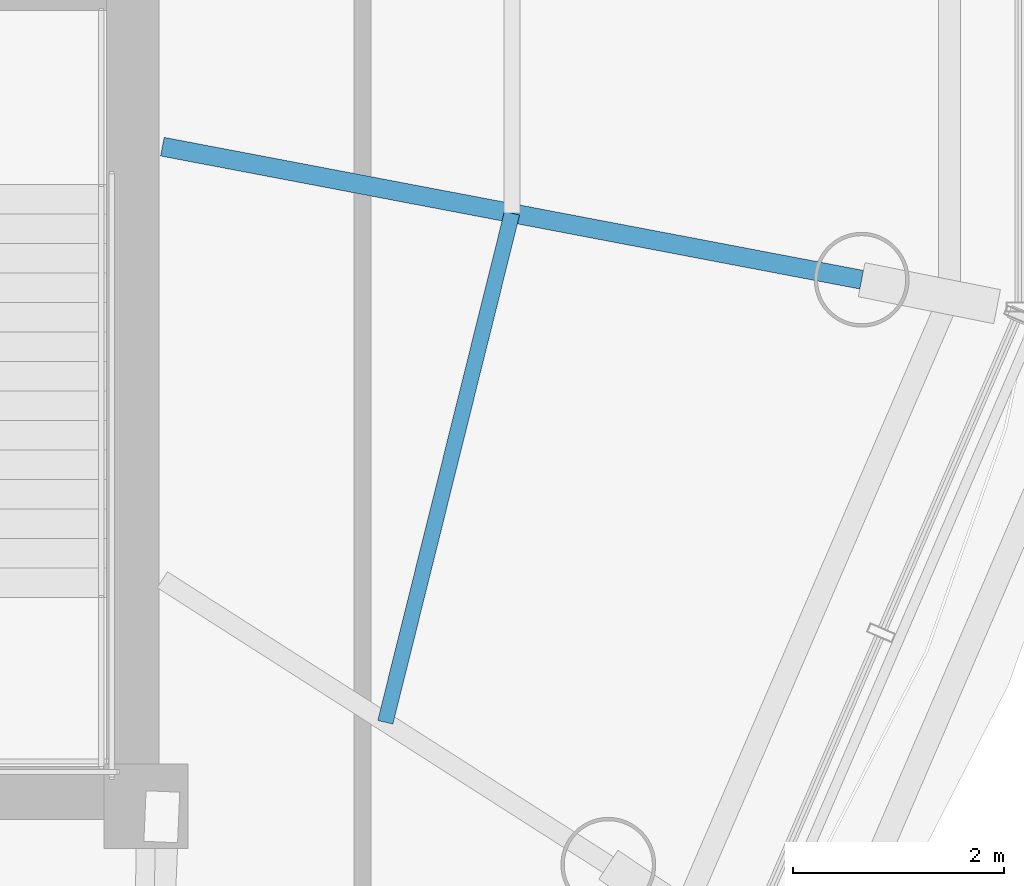
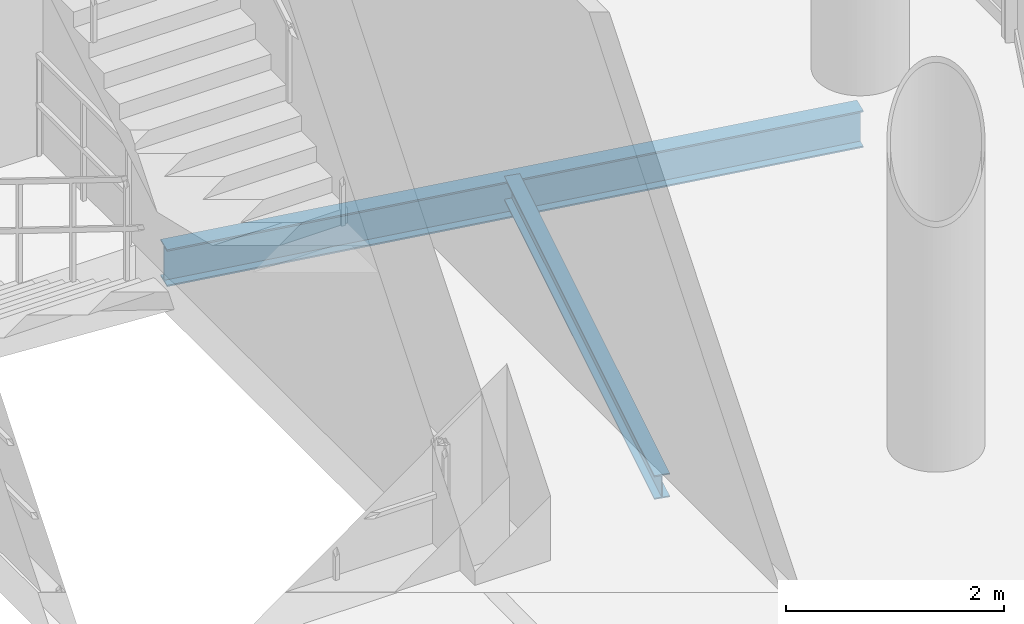
# One storey, part 4 of 15: 2 beams.
"""IFC4 building model written with IfcOpenShell, lengths in metres."""

from ifc_helpers import new_model, si_unit, direction, frame, origin, origin_2d, place, context, subcontext, project, spatial, i_section, extrude, material, material_profile, profile_set, type_object, element, save


model = new_model("IFC4")

# Units and contexts
model_context = context("Model", 3, precision=1e-05, world=origin(), true_north=direction((-0.2419218956, 0.970295726276)))
body_context = subcontext(model_context, "Body", "Model", "MODEL_VIEW")
ifc_project = project(units=[si_unit("LENGTHUNIT", "METRE"), si_unit("AREAUNIT", "SQUARE_METRE"), si_unit("VOLUMEUNIT", "CUBIC_METRE"), si_unit("PLANEANGLEUNIT", "RADIAN"), si_unit("MASSUNIT", "GRAM", prefix="KILO")], contexts=[model_context])

# Site, building, storey
site_placement = place(None, origin())
site = spatial("IfcSite", under=ifc_project, at=site_placement, CompositionType="ELEMENT")
building_placement = place(site_placement, origin())
building = spatial("IfcBuilding", under=site, at=building_placement, Name="Cobrevalo Terracotta Tower", CompositionType="ELEMENT")
storey_placement = place(building_placement, frame((0.0, 0.0, 306.10009765625)))
storey = spatial("IfcBuildingStorey", under=building, at=storey_placement, Name="L80", CompositionType="ELEMENT", Elevation=306.10009765625)

# Beams
ifc_material = material(Name="Steel S355", Category="steel")
ifc_material_profile_1 = material_profile(ifc_material, i_section(OverallWidth=0.179931640625, OverallDepth=0.4130859375, WebThickness=0.009765625, FlangeThickness=0.01611328125, at=origin_2d()), Name="W 410x75")
ifc_profile_set_1 = profile_set([ifc_material_profile_1], Name="Steel S355")
beam_type_1 = type_object("IfcBeamType", Name="Structural Beam W 410x75 (Steel S355)", PredefinedType="BEAM", material=ifc_profile_set_1)
beam_1_placement = place(storey_placement, frame((53.79052734375, 23.795654296875, -0.626708984375), z_axis=(-0.982378090159, 0.186904488915, 0.0), x_axis=(-0.186904488915, -0.982378090159, 0.0)))
element("IfcBeam", 1, at=beam_1_placement, inside=storey, type_object=beam_type_1, Name="L80 radial floor girder 16", PredefinedType="BEAM", context=body_context, shape_type="SweptSolid", body=[
    extrude(i_section(OverallWidth=0.179931640625, OverallDepth=0.4130859375, WebThickness=0.009765625, FlangeThickness=0.01611328125, at=origin_2d()), origin(), (0.0, 0.0, 1.0), 6.754638671875),
])
ifc_material_profile_2 = material_profile(ifc_material, i_section(OverallWidth=0.14794921875, OverallDepth=0.26611328125, WebThickness=0.007568359375, FlangeThickness=0.012939453125, at=origin_2d()), Name="W 250x44.8")
ifc_profile_set_2 = profile_set([ifc_material_profile_2], Name="Steel S355")
beam_type_2 = type_object("IfcBeamType", Name="Structural Joist W 250x44.8 (Steel S355)", PredefinedType="JOIST", material=ifc_profile_set_2)
beam_2_placement = place(storey_placement, frame((49.270751953125, 19.596435546875, -0.552978515625), z_axis=(0.241508383165, 0.970398732924, 0.0), x_axis=(-0.970398732924, 0.241508383165, 0.0)))
element("IfcBeam", 2, at=beam_2_placement, inside=storey, type_object=beam_type_2, Name="L80 circumferential secondary floor joist 15", PredefinedType="JOIST", context=body_context, shape_type="SweptSolid", body=[
    extrude(i_section(OverallWidth=0.14794921875, OverallDepth=0.26611328125, WebThickness=0.007568359375, FlangeThickness=0.012939453125, at=origin_2d()), origin(), (0.0, 0.0, 1.0), 4.977783203125),
])

save(model, "model.ifc")
